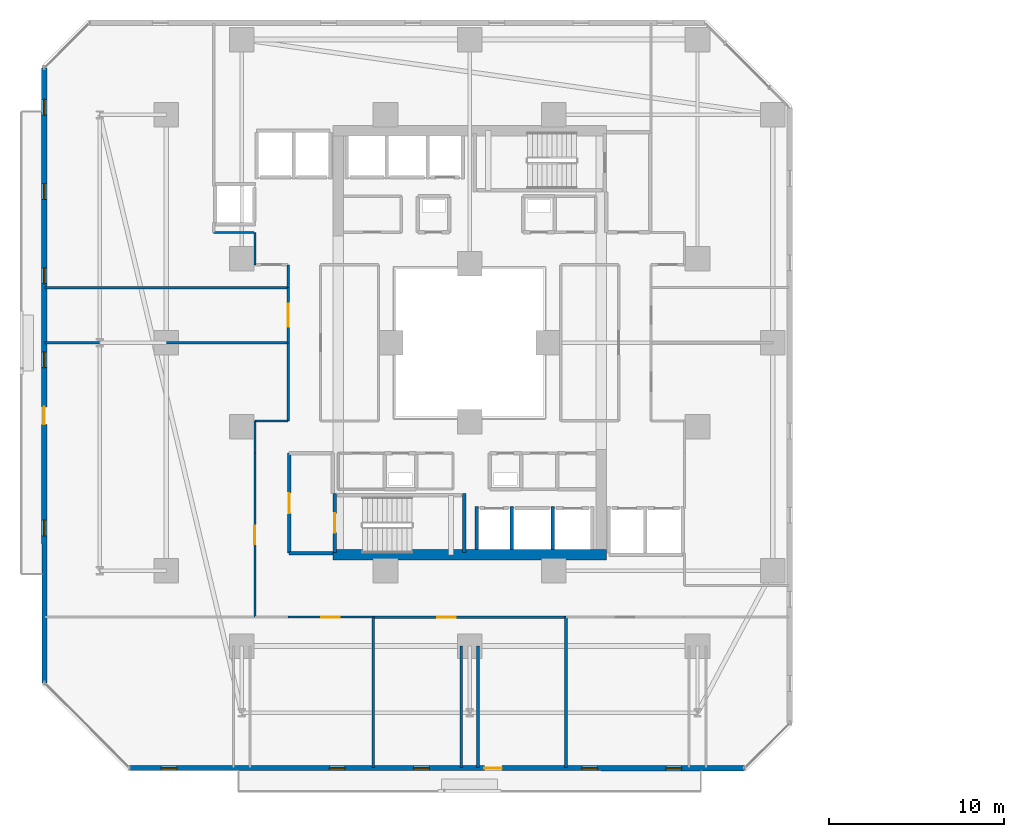
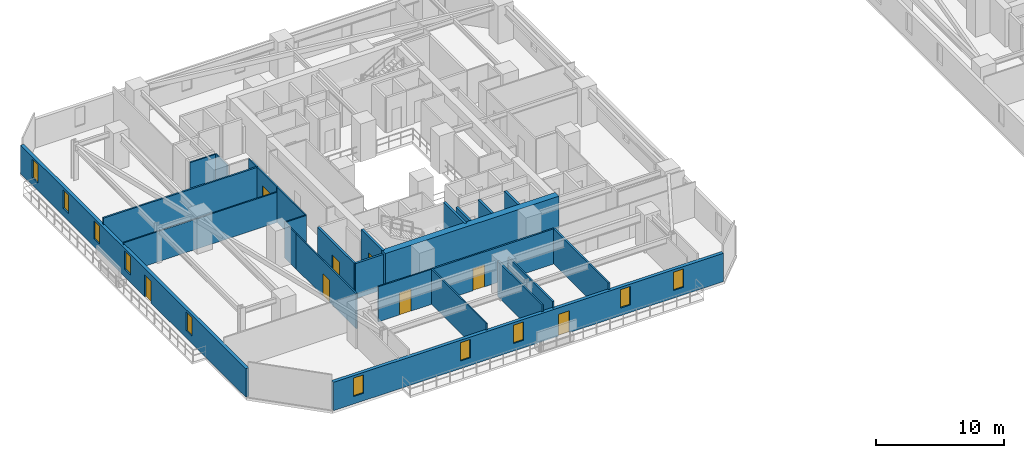
# One storey, part 18 of 33: 26 walls, 10 windows, 8 doors, 18 openings.
"""IFC4 building model written with IfcOpenShell, lengths in metres."""

from ifc_helpers import new_model, si_unit, direction, frame, frame_2d, origin, place, context, subcontext, project, spatial, rectangle, extrude, material, layer, layer_set, type_object, element, fill, save


model = new_model("IFC4")

# Units and contexts
model_context = context("Model", 3, precision=1e-05, world=origin(), true_north=direction((0.0, 1.0)))
body_context = subcontext(model_context, "Body", "Model", "MODEL_VIEW")
ifc_project = project(units=[si_unit("LENGTHUNIT", "METRE"), si_unit("AREAUNIT", "SQUARE_METRE"), si_unit("VOLUMEUNIT", "CUBIC_METRE"), si_unit("PLANEANGLEUNIT", "RADIAN"), si_unit("MASSUNIT", "GRAM", prefix="KILO")], contexts=[model_context])

# Site, building, storey
site_placement = place(None, origin())
site = spatial("IfcSite", under=ifc_project, at=site_placement, CompositionType="ELEMENT")
building_placement = place(site_placement, origin())
building = spatial("IfcBuilding", under=site, at=building_placement, Name="Thornwick Lancets Civic Towers", CompositionType="ELEMENT")
storey_placement = place(building_placement, frame((0.0, 0.0, 42.300048828125)))
storey = spatial("IfcBuildingStorey", under=building, at=storey_placement, Name="L10", CompositionType="ELEMENT", Elevation=42.300048828125)

# Walls
ifc_material_1 = material(Name="Concrete blockwork C40/50", Category="masonry")
ifc_layer_1 = layer(ifc_material_1, 0.199951171875, Name="Concrete blockwork C40/50")
ifc_layer_set_1 = layer_set([ifc_layer_1], Name="Concrete blockwork C40/50")
wall_type_1 = type_object("IfcWallType", Name="WALL_COMP_200", PredefinedType="STANDARD", material=ifc_layer_set_1)
for number, where, z_axis, x_axis, name in (
    (1, (27.89990234375, 15.2119140625, 0.0), (0.0, 0.0, 1.0), (0.0, 1.0, 0.0), "L10 Hoistway Shaft Wall FL-A1 E"),
    (2, (25.89990234375, 15.2119140625, 0.0), (0.0, 0.0, 1.0), (0.0, 1.0, 0.0), "L10 Hoistway Shaft Wall FL-A1 W"),
    (3, (30.25, 15.2119140625, 0.0), (0.0, 0.0, 1.0), (0.0, 1.0, 0.0), "L10 Hoistway Shaft Wall PL-AH1 E"),
):
    element("IfcWall", number, at=place(storey_placement, frame(where, z_axis=z_axis, x_axis=x_axis)), inside=storey, type_object=wall_type_1, Name=name, PredefinedType="STANDARD", context=body_context, shape_type="SweptSolid", body=[
        extrude(rectangle(XDim=2.43603515625, YDim=0.199951171875, at=frame_2d((1.218017578125, 0.0))), origin(), (0.0, 0.0, 1.0), 3.33984375),
    ])
wall_1_placement = place(storey_placement, frame((15.199951171875, 15.0, 0.0), z_axis=(0.0, 0.0, 1.0), x_axis=(1.0, 0.0, 0.0)))
element("IfcWall", 4, at=wall_1_placement, inside=storey, type_object=wall_type_1, Name="L10 Partition L10-A-FFLOB1 E1", PredefinedType="STANDARD", context=body_context, shape_type="SweptSolid", body=[
    extrude(rectangle(XDim=2.5, YDim=0.199951171875, at=frame_2d((1.25, 0.0))), origin(), (0.0, 0.0, 1.0), 3.33984375),
])

# Wall, opening, door
wall_2_placement = place(storey_placement, frame((15.199951171875, 20.699951171875, 0.0), z_axis=(0.0, 0.0, 1.0), x_axis=(0.0, -1.0, 0.0)))
wall_2 = element("IfcWall", 5, at=wall_2_placement, inside=storey, type_object=wall_type_1, Name="L10 Partition L10-A-FFLOB1 E4", PredefinedType="STANDARD", context=body_context, shape_type="SweptSolid", body=[
    extrude(rectangle(XDim=5.699951171875, YDim=0.199951171875, at=frame_2d((2.85009765625, 0.0))), origin(), (0.0, 0.0, 1.0), 3.33984375),
])
opening_1_placement = place(wall_2_placement, frame((2.27490234375, 0.0, 0.0)))
opening_1 = element("IfcOpeningElement", 6, at=opening_1_placement, cuts=wall_2, Name="Opening D-L10-0487", PredefinedType="OPENING", context=body_context, shape_type="SweptSolid", body=[
    extrude(rectangle(XDim=1.14990234375, YDim=2.10009765625, at=frame_2d((0.574951171875, 1.050048828125))), frame((0.0, 0.10986328125, 0.0), z_axis=(0.0, -1.0, 0.0), x_axis=(1.0, 0.0, 0.0)), (0.0, 0.0, 1.0), 0.219970703125),
])
ifc_material_2 = material(Name="Glazed fire-resisting steel", Category="steel")
door_type_1 = type_object("IfcDoorType", Name="DOOR_LOBBY_FD60", OperationType="NOTDEFINED", PredefinedType="DOOR", material=ifc_material_2)
door_1_placement = place(opening_1_placement, origin())
door_1 = element("IfcDoor", 7, at=door_1_placement, inside=storey, type_object=door_type_1, Name="L10 South Firefighting Lobby 1 Door", OperationType="SINGLE_SWING_RIGHT", OverallHeight=2.10009765625, OverallWidth=1.14990234375, PredefinedType="DOOR", context=body_context, shape_type="SweptSolid", body=[
    extrude(rectangle(XDim=1.14990234375, YDim=2.10009765625, at=frame_2d((0.574951171875, 1.050048828125))), frame((0.0, 0.02490234375, 0.0), z_axis=(0.0, -1.0, 0.0), x_axis=(1.0, 0.0, 0.0)), (0.0, 0.0, 1.0), 0.050048828125),
])
fill(opening_1, door_1)

# Wall
ifc_material_3 = material(Name="Concrete C60/75", Category="concrete")
ifc_layer_2 = layer(ifc_material_3, 0.60009765625, Name="Concrete C60/75")
ifc_layer_set_2 = layer_set([ifc_layer_2], Name="Concrete C60/75")
wall_type_2 = type_object("IfcWallType", Name="WALL_CORE_600", PredefinedType="SHEAR", material=ifc_layer_set_2)
wall_3_placement = place(storey_placement, frame((17.699951171875, 14.89990234375, 0.0), z_axis=(0.0, 0.0, 1.0), x_axis=(1.0, 0.0, 0.0)))
element("IfcWall", 8, at=wall_3_placement, inside=storey, type_object=wall_type_2, Name="L10 Split Core A1 Shear Wall S", PredefinedType="SHEAR", context=body_context, shape_type="SweptSolid", body=[
    extrude(rectangle(XDim=15.60009765625, YDim=0.60009765625, at=frame_2d((7.800048828125, 0.0))), origin(), (0.0, 0.0, 1.0), 3.599853515625),
])

# Wall, openings, door, windows
ifc_material_4 = material(Name="Insulated russet terracotta rainscreen on concrete C40/50", Category="masonry")
ifc_layer_3 = layer(ifc_material_4, 0.300048828125, Name="Insulated russet terracotta rainscreen on concrete C40/50")
ifc_layer_set_3 = layer_set([ifc_layer_3], Name="Insulated russet terracotta rainscreen on concrete C40/50")
wall_type_3 = type_object("IfcWallType", Name="WALL_EXT_RUSSET_300", PredefinedType="STANDARD", material=ifc_layer_set_3)
wall_4_placement = place(storey_placement, frame((6.100830078125, 2.742431640625, 0.0), z_axis=(0.0, 0.0, 1.0), x_axis=(0.999999978205, -0.000208784245, 0.0)))
wall_4 = element("IfcWall", 9, at=wall_4_placement, inside=storey, type_object=wall_type_3, Name="L10 Tower A Terracotta Facade Wall E0", PredefinedType="STANDARD", context=body_context, shape_type="SweptSolid", body=[
    extrude(rectangle(XDim=35.080322265625, YDim=0.300048828125, at=frame_2d((17.5400390625, 0.0))), origin(), (0.0, 0.0, 1.0), 2.699951171875),
])
opening_2_placement = place(wall_4_placement, frame((20.240234375, 0.0, 0.0)))
opening_2 = element("IfcOpeningElement", 10, at=opening_2_placement, cuts=wall_4, Name="Opening D-BL-L10-AS", PredefinedType="OPENING", context=body_context, shape_type="SweptSolid", body=[
    extrude(rectangle(XDim=1.0, YDim=2.080078125, at=frame_2d((0.5, 1.0400390625))), frame((0.0, 0.16015625, 0.0), z_axis=(0.0, -1.0, 0.0), x_axis=(1.0, 0.0, 0.0)), (0.0, 0.0, 1.0), 0.320068359375),
])
opening_3_placement = place(wall_4_placement, frame((1.800048828125, 0.0, 0.719970703125)))
opening_3 = element("IfcOpeningElement", 11, at=opening_3_placement, cuts=wall_4, Name="Opening WL-01", PredefinedType="OPENING", context=body_context, shape_type="SweptSolid", body=[
    extrude(rectangle(XDim=0.89990234375, YDim=1.75, at=frame_2d((0.449951171875, 0.875))), frame((0.0, 0.16015625, 0.0), z_axis=(0.0, -1.0, 0.0), x_axis=(1.0, 0.0, 0.0)), (0.0, 0.0, 1.0), 0.320068359375),
])
opening_4_placement = place(wall_4_placement, frame((11.39990234375, 0.0, 0.719970703125)))
opening_4 = element("IfcOpeningElement", 12, at=opening_4_placement, cuts=wall_4, Name="Opening WL-01", PredefinedType="OPENING", context=body_context, shape_type="SweptSolid", body=[
    extrude(rectangle(XDim=0.89990234375, YDim=1.75, at=frame_2d((0.449951171875, 0.875))), frame((0.0, 0.16015625, 0.0), z_axis=(0.0, -1.0, 0.0), x_axis=(1.0, 0.0, 0.0)), (0.0, 0.0, 1.0), 0.320068359375),
])
opening_5_placement = place(wall_4_placement, frame((16.199951171875, 0.0, 0.719970703125)))
opening_5 = element("IfcOpeningElement", 13, at=opening_5_placement, cuts=wall_4, Name="Opening WL-01", PredefinedType="OPENING", context=body_context, shape_type="SweptSolid", body=[
    extrude(rectangle(XDim=0.89990234375, YDim=1.75, at=frame_2d((0.449951171875, 0.875))), frame((0.0, 0.16015625, 0.0), z_axis=(0.0, -1.0, 0.0), x_axis=(1.0, 0.0, 0.0)), (0.0, 0.0, 1.0), 0.320068359375),
])
opening_6_placement = place(wall_4_placement, frame((25.800048828125, 0.0, 0.719970703125)))
opening_6 = element("IfcOpeningElement", 14, at=opening_6_placement, cuts=wall_4, Name="Opening WL-01", PredefinedType="OPENING", context=body_context, shape_type="SweptSolid", body=[
    extrude(rectangle(XDim=0.89990234375, YDim=1.75, at=frame_2d((0.449951171875, 0.875))), frame((0.0, 0.16015625, 0.0), z_axis=(0.0, -1.0, 0.0), x_axis=(1.0, 0.0, 0.0)), (0.0, 0.0, 1.0), 0.320068359375),
])
opening_7_placement = place(wall_4_placement, frame((30.60009765625, 0.0, 0.719970703125)))
opening_7 = element("IfcOpeningElement", 15, at=opening_7_placement, cuts=wall_4, Name="Opening WL-01", PredefinedType="OPENING", context=body_context, shape_type="SweptSolid", body=[
    extrude(rectangle(XDim=0.89990234375, YDim=1.75, at=frame_2d((0.449951171875, 0.875))), frame((0.0, 0.16015625, 0.0), z_axis=(0.0, -1.0, 0.0), x_axis=(1.0, 0.0, 0.0)), (0.0, 0.0, 1.0), 0.320068359375),
])
ifc_material_5 = material(Name="Thermally broken glazed loggia doorset")
door_type_2 = type_object("IfcDoorType", Name="DOOR_BALC_1000", OperationType="NOTDEFINED", PredefinedType="DOOR", material=ifc_material_5)
door_2_placement = place(opening_2_placement, origin())
door_2 = element("IfcDoor", 16, at=door_2_placement, inside=storey, type_object=door_type_2, Name="L10 Tower A Loggia Balcony Door S", OperationType="SINGLE_SWING_LEFT", OverallHeight=2.080078125, OverallWidth=1.0, PredefinedType="DOOR", context=body_context, shape_type="SweptSolid", body=[
    extrude(rectangle(XDim=1.0, YDim=2.080078125, at=frame_2d((0.5, 1.0400390625))), frame((0.0, 0.02490234375, 0.0), z_axis=(0.0, -1.0, 0.0), x_axis=(1.0, 0.0, 0.0)), (0.0, 0.0, 1.0), 0.050048828125),
])
fill(opening_2, door_2)
ifc_material_6 = material(Name="Clear low-e double glazing in bronze frame", Category="glass")
window_type = type_object("IfcWindowType", Name="WIN_LANCET_900", PartitioningType="SINGLE_PANEL", PredefinedType="WINDOW", material=ifc_material_6)
window_1_placement = place(opening_3_placement, origin())
window_1 = element("IfcWindow", 17, at=window_1_placement, inside=storey, type_object=window_type, Name="L10 Tower A Staggered Lancet Window E0-1", OverallHeight=1.75, OverallWidth=0.89990234375, PartitioningType="SINGLE_PANEL", PredefinedType="WINDOW", context=body_context, shape_type="SweptSolid", body=[
    extrude(rectangle(XDim=0.89990234375, YDim=1.75, at=frame_2d((0.449951171875, 0.875))), frame((0.0, 0.030029296875, 0.0), z_axis=(0.0, -1.0, 0.0), x_axis=(1.0, 0.0, 0.0)), (0.0, 0.0, 1.0), 0.06005859375),
])
fill(opening_3, window_1)
window_2_placement = place(opening_4_placement, origin())
window_2 = element("IfcWindow", 18, at=window_2_placement, inside=storey, type_object=window_type, Name="L10 Tower A Staggered Lancet Window E0-2", OverallHeight=1.75, OverallWidth=0.89990234375, PartitioningType="SINGLE_PANEL", PredefinedType="WINDOW", context=body_context, shape_type="SweptSolid", body=[
    extrude(rectangle(XDim=0.89990234375, YDim=1.75, at=frame_2d((0.449951171875, 0.875))), frame((0.0, 0.030029296875, 0.0), z_axis=(0.0, -1.0, 0.0), x_axis=(1.0, 0.0, 0.0)), (0.0, 0.0, 1.0), 0.06005859375),
])
fill(opening_4, window_2)
window_3_placement = place(opening_5_placement, origin())
window_3 = element("IfcWindow", 19, at=window_3_placement, inside=storey, type_object=window_type, Name="L10 Tower A Staggered Lancet Window E0-3", OverallHeight=1.75, OverallWidth=0.89990234375, PartitioningType="SINGLE_PANEL", PredefinedType="WINDOW", context=body_context, shape_type="SweptSolid", body=[
    extrude(rectangle(XDim=0.89990234375, YDim=1.75, at=frame_2d((0.449951171875, 0.875))), frame((0.0, 0.030029296875, 0.0), z_axis=(0.0, -1.0, 0.0), x_axis=(1.0, 0.0, 0.0)), (0.0, 0.0, 1.0), 0.06005859375),
])
fill(opening_5, window_3)
window_4_placement = place(opening_6_placement, origin())
window_4 = element("IfcWindow", 20, at=window_4_placement, inside=storey, type_object=window_type, Name="L10 Tower A Staggered Lancet Window E0-4", OverallHeight=1.75, OverallWidth=0.89990234375, PartitioningType="SINGLE_PANEL", PredefinedType="WINDOW", context=body_context, shape_type="SweptSolid", body=[
    extrude(rectangle(XDim=0.89990234375, YDim=1.75, at=frame_2d((0.449951171875, 0.875))), frame((0.0, 0.030029296875, 0.0), z_axis=(0.0, -1.0, 0.0), x_axis=(1.0, 0.0, 0.0)), (0.0, 0.0, 1.0), 0.06005859375),
])
fill(opening_6, window_4)
window_5_placement = place(opening_7_placement, origin())
window_5 = element("IfcWindow", 21, at=window_5_placement, inside=storey, type_object=window_type, Name="L10 Tower A Staggered Lancet Window E0-5", OverallHeight=1.75, OverallWidth=0.89990234375, PartitioningType="SINGLE_PANEL", PredefinedType="WINDOW", context=body_context, shape_type="SweptSolid", body=[
    extrude(rectangle(XDim=0.89990234375, YDim=1.75, at=frame_2d((0.449951171875, 0.875))), frame((0.0, 0.030029296875, 0.0), z_axis=(0.0, -1.0, 0.0), x_axis=(1.0, 0.0, 0.0)), (0.0, 0.0, 1.0), 0.06005859375),
])
fill(opening_7, window_5)

wall_5_placement = place(storey_placement, frame((1.235107421875, 42.68115234375, 0.0), z_axis=(0.0, 0.0, 1.0), x_axis=(0.000208784245, -0.999999978205, 0.0)))
wall_5 = element("IfcWall", 22, at=wall_5_placement, inside=storey, type_object=wall_type_3, Name="L10 Tower A Terracotta Facade Wall E6", PredefinedType="STANDARD", context=body_context, shape_type="SweptSolid", body=[
    extrude(rectangle(XDim=35.080322265625, YDim=0.300048828125, at=frame_2d((17.5400390625, 0.0))), origin(), (0.0, 0.0, 1.0), 2.699951171875),
])
opening_8_placement = place(wall_5_placement, frame((19.340087890625, 0.0, 0.0)))
opening_8 = element("IfcOpeningElement", 23, at=opening_8_placement, cuts=wall_5, Name="Opening D-BL-L10-AW", PredefinedType="OPENING", context=body_context, shape_type="SweptSolid", body=[
    extrude(rectangle(XDim=1.0, YDim=2.080078125, at=frame_2d((0.5, 1.0400390625))), frame((0.0, 0.16015625, 0.0), z_axis=(0.0, -1.0, 0.0), x_axis=(1.0, 0.0, 0.0)), (0.0, 0.0, 1.0), 0.320068359375),
])
opening_9_placement = place(wall_5_placement, frame((1.800048828125, 0.0, 0.719970703125)))
opening_9 = element("IfcOpeningElement", 24, at=opening_9_placement, cuts=wall_5, Name="Opening WL-01", PredefinedType="OPENING", context=body_context, shape_type="SweptSolid", body=[
    extrude(rectangle(XDim=0.89990234375, YDim=1.75, at=frame_2d((0.449951171875, 0.875))), frame((0.0, 0.16015625, 0.0), z_axis=(0.0, -1.0, 0.0), x_axis=(1.0, 0.0, 0.0)), (0.0, 0.0, 1.0), 0.320068359375),
])
opening_10_placement = place(wall_5_placement, frame((6.60009765625, 0.0, 0.719970703125)))
opening_10 = element("IfcOpeningElement", 25, at=opening_10_placement, cuts=wall_5, Name="Opening WL-01", PredefinedType="OPENING", context=body_context, shape_type="SweptSolid", body=[
    extrude(rectangle(XDim=0.89990234375, YDim=1.75, at=frame_2d((0.449951171875, 0.875))), frame((0.0, 0.16015625, 0.0), z_axis=(0.0, -1.0, 0.0), x_axis=(1.0, 0.0, 0.0)), (0.0, 0.0, 1.0), 0.320068359375),
])
opening_11_placement = place(wall_5_placement, frame((11.39990234375, 0.0, 0.719970703125)))
opening_11 = element("IfcOpeningElement", 26, at=opening_11_placement, cuts=wall_5, Name="Opening WL-01", PredefinedType="OPENING", context=body_context, shape_type="SweptSolid", body=[
    extrude(rectangle(XDim=0.89990234375, YDim=1.75, at=frame_2d((0.449951171875, 0.875))), frame((0.0, 0.16015625, 0.0), z_axis=(0.0, -1.0, 0.0), x_axis=(1.0, 0.0, 0.0)), (0.0, 0.0, 1.0), 0.320068359375),
])
opening_12_placement = place(wall_5_placement, frame((16.199951171875, 0.0, 0.719970703125)))
opening_12 = element("IfcOpeningElement", 27, at=opening_12_placement, cuts=wall_5, Name="Opening WL-01", PredefinedType="OPENING", context=body_context, shape_type="SweptSolid", body=[
    extrude(rectangle(XDim=0.89990234375, YDim=1.75, at=frame_2d((0.449951171875, 0.875))), frame((0.0, 0.16015625, 0.0), z_axis=(0.0, -1.0, 0.0), x_axis=(1.0, 0.0, 0.0)), (0.0, 0.0, 1.0), 0.320068359375),
])
opening_13_placement = place(wall_5_placement, frame((25.800048828125, 0.0, 0.719970703125)))
opening_13 = element("IfcOpeningElement", 28, at=opening_13_placement, cuts=wall_5, Name="Opening WL-01", PredefinedType="OPENING", context=body_context, shape_type="SweptSolid", body=[
    extrude(rectangle(XDim=0.89990234375, YDim=1.75, at=frame_2d((0.449951171875, 0.875))), frame((0.0, 0.16015625, 0.0), z_axis=(0.0, -1.0, 0.0), x_axis=(1.0, 0.0, 0.0)), (0.0, 0.0, 1.0), 0.320068359375),
])
door_3_placement = place(opening_8_placement, origin())
door_3 = element("IfcDoor", 29, at=door_3_placement, inside=storey, type_object=door_type_2, Name="L10 Tower A Loggia Balcony Door W", OperationType="SINGLE_SWING_LEFT", OverallHeight=2.080078125, OverallWidth=1.0, PredefinedType="DOOR", context=body_context, shape_type="SweptSolid", body=[
    extrude(rectangle(XDim=1.0, YDim=2.080078125, at=frame_2d((0.5, 1.0400390625))), frame((0.0, 0.02490234375, 0.0), z_axis=(0.0, -1.0, 0.0), x_axis=(1.0, 0.0, 0.0)), (0.0, 0.0, 1.0), 0.050048828125),
])
fill(opening_8, door_3)
window_6_placement = place(opening_9_placement, origin())
window_6 = element("IfcWindow", 30, at=window_6_placement, inside=storey, type_object=window_type, Name="L10 Tower A Staggered Lancet Window E6-1", OverallHeight=1.75, OverallWidth=0.89990234375, PartitioningType="SINGLE_PANEL", PredefinedType="WINDOW", context=body_context, shape_type="SweptSolid", body=[
    extrude(rectangle(XDim=0.89990234375, YDim=1.75, at=frame_2d((0.449951171875, 0.875))), frame((0.0, 0.030029296875, 0.0), z_axis=(0.0, -1.0, 0.0), x_axis=(1.0, 0.0, 0.0)), (0.0, 0.0, 1.0), 0.06005859375),
])
fill(opening_9, window_6)
window_7_placement = place(opening_10_placement, origin())
window_7 = element("IfcWindow", 31, at=window_7_placement, inside=storey, type_object=window_type, Name="L10 Tower A Staggered Lancet Window E6-2", OverallHeight=1.75, OverallWidth=0.89990234375, PartitioningType="SINGLE_PANEL", PredefinedType="WINDOW", context=body_context, shape_type="SweptSolid", body=[
    extrude(rectangle(XDim=0.89990234375, YDim=1.75, at=frame_2d((0.449951171875, 0.875))), frame((0.0, 0.030029296875, 0.0), z_axis=(0.0, -1.0, 0.0), x_axis=(1.0, 0.0, 0.0)), (0.0, 0.0, 1.0), 0.06005859375),
])
fill(opening_10, window_7)
window_8_placement = place(opening_11_placement, origin())
window_8 = element("IfcWindow", 32, at=window_8_placement, inside=storey, type_object=window_type, Name="L10 Tower A Staggered Lancet Window E6-3", OverallHeight=1.75, OverallWidth=0.89990234375, PartitioningType="SINGLE_PANEL", PredefinedType="WINDOW", context=body_context, shape_type="SweptSolid", body=[
    extrude(rectangle(XDim=0.89990234375, YDim=1.75, at=frame_2d((0.449951171875, 0.875))), frame((0.0, 0.030029296875, 0.0), z_axis=(0.0, -1.0, 0.0), x_axis=(1.0, 0.0, 0.0)), (0.0, 0.0, 1.0), 0.06005859375),
])
fill(opening_11, window_8)
window_9_placement = place(opening_12_placement, origin())
window_9 = element("IfcWindow", 33, at=window_9_placement, inside=storey, type_object=window_type, Name="L10 Tower A Staggered Lancet Window E6-4", OverallHeight=1.75, OverallWidth=0.89990234375, PartitioningType="SINGLE_PANEL", PredefinedType="WINDOW", context=body_context, shape_type="SweptSolid", body=[
    extrude(rectangle(XDim=0.89990234375, YDim=1.75, at=frame_2d((0.449951171875, 0.875))), frame((0.0, 0.030029296875, 0.0), z_axis=(0.0, -1.0, 0.0), x_axis=(1.0, 0.0, 0.0)), (0.0, 0.0, 1.0), 0.06005859375),
])
fill(opening_12, window_9)
window_10_placement = place(opening_13_placement, origin())
window_10 = element("IfcWindow", 34, at=window_10_placement, inside=storey, type_object=window_type, Name="L10 Tower A Staggered Lancet Window E6-5", OverallHeight=1.75, OverallWidth=0.89990234375, PartitioningType="SINGLE_PANEL", PredefinedType="WINDOW", context=body_context, shape_type="SweptSolid", body=[
    extrude(rectangle(XDim=0.89990234375, YDim=1.75, at=frame_2d((0.449951171875, 0.875))), frame((0.0, 0.030029296875, 0.0), z_axis=(0.0, -1.0, 0.0), x_axis=(1.0, 0.0, 0.0)), (0.0, 0.0, 1.0), 0.06005859375),
])
fill(opening_13, window_10)

# Walls
ifc_material_7 = material(Name="Acoustic gypsum board partition")
ifc_layer_4 = layer(ifc_material_7, 0.1201171875, Name="Acoustic gypsum board partition")
ifc_layer_set_4 = layer_set([ifc_layer_4], Name="Acoustic gypsum board partition")
wall_type_4 = type_object("IfcWallType", Name="WALL_PART_120", PredefinedType="PARTITIONING", material=ifc_layer_set_4)
wall_6_placement = place(storey_placement, frame((15.14990234375, 22.550048828125, 0.0), z_axis=(0.0, 0.0, 1.0), x_axis=(-1.0, 0.0, 0.0)))
element("IfcWall", 35, at=wall_6_placement, inside=storey, type_object=wall_type_4, Name="L10 Partition L10-A-W1 E1", PredefinedType="PARTITIONING", context=body_context, shape_type="SweptSolid", body=[
    extrude(rectangle(XDim=1.89990234375, YDim=0.1201171875, at=frame_2d((0.949951171875, 0.0))), origin(), (0.0, 0.0, 1.0), 3.33984375),
])
wall_7_placement = place(storey_placement, frame((13.25, 22.550048828125, 0.0), z_axis=(0.0, 0.0, 1.0), x_axis=(0.0, -1.0, 0.0)))
element("IfcWall", 36, at=wall_7_placement, inside=storey, type_object=wall_type_4, Name="L10 Partition L10-A-W1 E2", PredefinedType="PARTITIONING", context=body_context, shape_type="SweptSolid", body=[
    extrude(rectangle(XDim=1.85009765625, YDim=0.1201171875, at=frame_2d((0.925048828125, 0.0))), origin(), (0.0, 0.0, 1.0), 3.33984375),
])

# Wall, opening, door
wall_8_placement = place(storey_placement, frame((13.25, 20.699951171875, 0.0), z_axis=(0.0, 0.0, 1.0), x_axis=(0.0, -1.0, 0.0)))
wall_8 = element("IfcWall", 37, at=wall_8_placement, inside=storey, type_object=wall_type_4, Name="L10 Partition L10-A-W1 E3", PredefinedType="PARTITIONING", context=body_context, shape_type="SweptSolid", body=[
    extrude(rectangle(XDim=9.349853515625, YDim=0.1201171875, at=frame_2d((4.6748046875, 0.0))), origin(), (0.0, 0.0, 1.0), 3.33984375),
])
opening_14_placement = place(wall_8_placement, frame((4.14990234375, 0.0, 0.0)))
opening_14 = element("IfcOpeningElement", 38, at=opening_14_placement, cuts=wall_8, Name="Opening D-L10-0511", PredefinedType="OPENING", context=body_context, shape_type="SweptSolid", body=[
    extrude(rectangle(XDim=1.050048828125, YDim=2.10009765625, at=frame_2d((0.52490234375, 1.050048828125))), frame((0.0, 0.070068359375, 0.0), z_axis=(0.0, -1.0, 0.0), x_axis=(1.0, 0.0, 0.0)), (0.0, 0.0, 1.0), 0.14013671875),
])
ifc_material_8 = material(Name="Glazed European oak executive doorset")
door_type_3 = type_object("IfcDoorType", Name="DOOR_OFFICE_1050", OperationType="NOTDEFINED", PredefinedType="DOOR", material=ifc_material_8)
door_4_placement = place(opening_14_placement, origin())
door_4 = element("IfcDoor", 39, at=door_4_placement, inside=storey, type_object=door_type_3, Name="L10 Tower A Ministry Directorate Office W1 Door", OperationType="SINGLE_SWING_RIGHT", OverallHeight=2.10009765625, OverallWidth=1.050048828125, PredefinedType="DOOR", context=body_context, shape_type="SweptSolid", body=[
    extrude(rectangle(XDim=1.050048828125, YDim=2.10009765625, at=frame_2d((0.52490234375, 1.050048828125))), frame((0.0, 0.02490234375, 0.0), z_axis=(0.0, -1.0, 0.0), x_axis=(1.0, 0.0, 0.0)), (0.0, 0.0, 1.0), 0.050048828125),
])
fill(opening_14, door_4)

# Walls
wall_9_placement = place(storey_placement, frame((1.280029296875, 27.0, 0.0), z_axis=(0.0, 0.0, 1.0), x_axis=(1.0, 0.0, 0.0)))
element("IfcWall", 40, at=wall_9_placement, inside=storey, type_object=wall_type_4, Name="L10 Partition L10-A-W1 E6", PredefinedType="PARTITIONING", context=body_context, shape_type="SweptSolid", body=[
    extrude(rectangle(XDim=13.869873046875, YDim=0.1201171875, at=frame_2d((6.93505859375, 0.0))), origin(), (0.0, 0.0, 1.0), 2.881591796875),
])
wall_10_placement = place(storey_placement, frame((15.14990234375, 27.0, 0.0), z_axis=(0.0, 0.0, 1.0), x_axis=(0.0, -1.0, 0.0)))
element("IfcWall", 41, at=wall_10_placement, inside=storey, type_object=wall_type_4, Name="L10 Partition L10-A-W1 E7", PredefinedType="PARTITIONING", context=body_context, shape_type="SweptSolid", body=[
    extrude(rectangle(XDim=4.449951171875, YDim=0.1201171875, at=frame_2d((2.22509765625, 0.0))), origin(), (0.0, 0.0, 1.0), 3.33984375),
])
wall_11_placement = place(storey_placement, frame((13.25, 33.300048828125, 0.0), z_axis=(0.0, 0.0, 1.0), x_axis=(0.0, -1.0, 0.0)))
element("IfcWall", 42, at=wall_11_placement, inside=storey, type_object=wall_type_4, Name="L10 Partition L10-A-W3 E2", PredefinedType="PARTITIONING", context=body_context, shape_type="SweptSolid", body=[
    extrude(rectangle(XDim=1.85009765625, YDim=0.1201171875, at=frame_2d((0.925048828125, 0.0))), origin(), (0.0, 0.0, 1.0), 3.33984375),
])
wall_12_placement = place(storey_placement, frame((15.14990234375, 31.449951171875, 0.0), z_axis=(0.0, 0.0, 1.0), x_axis=(0.0, -1.0, 0.0)))
element("IfcWall", 43, at=wall_12_placement, inside=storey, type_object=wall_type_4, Name="L10 Partition L10-A-W3 E4", PredefinedType="PARTITIONING", context=body_context, shape_type="SweptSolid", body=[
    extrude(rectangle(XDim=1.300048828125, YDim=0.1201171875, at=frame_2d((0.64990234375, 0.0))), origin(), (0.0, 0.0, 1.0), 3.33984375),
])
wall_13_placement = place(storey_placement, frame((10.89990234375, 33.300048828125, 0.0), z_axis=(0.0, 0.0, 1.0), x_axis=(1.0, 0.0, 0.0)))
element("IfcWall", 44, at=wall_13_placement, inside=storey, type_object=wall_type_4, Name="L10 Partition L10-A-W3 E10", PredefinedType="PARTITIONING", context=body_context, shape_type="SweptSolid", body=[
    extrude(rectangle(XDim=2.300048828125, YDim=0.1201171875, at=frame_2d((1.14990234375, 0.0))), origin(), (0.0, 0.0, 1.0), 3.33984375),
])

# Wall, opening, door
wall_14_placement = place(storey_placement, frame((15.14990234375, 11.35009765625, 0.0), z_axis=(0.0, 0.0, 1.0), x_axis=(1.0, 0.0, 0.0)))
wall_14 = element("IfcWall", 45, at=wall_14_placement, inside=storey, type_object=wall_type_4, Name="L10 Partition L10-A-S-OFF1 E10", PredefinedType="PARTITIONING", context=body_context, shape_type="SweptSolid", body=[
    extrude(rectangle(XDim=4.85009765625, YDim=0.1201171875, at=frame_2d((2.425048828125, 0.0))), origin(), (0.0, 0.0, 1.0), 3.33984375),
])
opening_15_placement = place(wall_14_placement, frame((1.89990234375, 0.0, 0.0)))
opening_15 = element("IfcOpeningElement", 46, at=opening_15_placement, cuts=wall_14, Name="Opening D-L10-0519", PredefinedType="OPENING", context=body_context, shape_type="SweptSolid", body=[
    extrude(rectangle(XDim=1.050048828125, YDim=2.10009765625, at=frame_2d((0.52490234375, 1.050048828125))), frame((0.0, 0.070068359375, 0.0), z_axis=(0.0, -1.0, 0.0), x_axis=(1.0, 0.0, 0.0)), (0.0, 0.0, 1.0), 0.14013671875),
])
door_5_placement = place(opening_15_placement, origin())
door_5 = element("IfcDoor", 47, at=door_5_placement, inside=storey, type_object=door_type_3, Name="L10 Tower A South-West Division Office Door", OperationType="SINGLE_SWING_RIGHT", OverallHeight=2.10009765625, OverallWidth=1.050048828125, PredefinedType="DOOR", context=body_context, shape_type="SweptSolid", body=[
    extrude(rectangle(XDim=1.050048828125, YDim=2.10009765625, at=frame_2d((0.52490234375, 1.050048828125))), frame((0.0, 0.02490234375, 0.0), z_axis=(0.0, -1.0, 0.0), x_axis=(1.0, 0.0, 0.0)), (0.0, 0.0, 1.0), 0.050048828125),
])
fill(opening_15, door_5)

# Walls
wall_15_placement = place(storey_placement, frame((20.0, 11.35009765625, 0.0), z_axis=(0.0, 0.0, 1.0), x_axis=(0.0, -1.0, 0.0)))
element("IfcWall", 48, at=wall_15_placement, inside=storey, type_object=wall_type_4, Name="L10 Partition L10-A-S-OFF1 E11", PredefinedType="PARTITIONING", context=body_context, shape_type="SweptSolid", body=[
    extrude(rectangle(XDim=8.570068359375, YDim=0.1201171875, at=frame_2d((4.28515625, 0.0))), origin(), (0.0, 0.0, 1.0), 3.33984375),
])
ifc_material_9 = material(Name="Twin-stud acoustic gypsum board")
ifc_layer_5 = layer(ifc_material_9, 0.14990234375, Name="Twin-stud acoustic gypsum board")
ifc_layer_set_5 = layer_set([ifc_layer_5], Name="Twin-stud acoustic gypsum board")
wall_type_5 = type_object("IfcWallType", Name="WALL_PART_150", PredefinedType="PARTITIONING", material=ifc_layer_set_5)
wall_16_placement = place(storey_placement, frame((1.280029296875, 30.14990234375, 0.0), z_axis=(0.0, 0.0, 1.0), x_axis=(1.0, 0.0, 0.0)))
element("IfcWall", 49, at=wall_16_placement, inside=storey, type_object=wall_type_5, Name="L10 Partition L10-A-W2 E3", PredefinedType="PARTITIONING", context=body_context, shape_type="SweptSolid", body=[
    extrude(rectangle(XDim=13.869873046875, YDim=0.14990234375, at=frame_2d((6.93505859375, 0.0))), origin(), (0.0, 0.0, 1.0), 3.33984375),
])

# Wall, opening, door
wall_17_placement = place(storey_placement, frame((15.14990234375, 30.14990234375, 0.0), z_axis=(0.0, 0.0, 1.0), x_axis=(0.0, -1.0, 0.0)))
wall_17 = element("IfcWall", 50, at=wall_17_placement, inside=storey, type_object=wall_type_5, Name="L10 Partition L10-A-W2 E4", PredefinedType="PARTITIONING", context=body_context, shape_type="SweptSolid", body=[
    extrude(rectangle(XDim=3.14990234375, YDim=0.14990234375, at=frame_2d((1.574951171875, 0.0))), origin(), (0.0, 0.0, 1.0), 3.33984375),
])
opening_16_placement = place(wall_17_placement, frame((0.925048828125, 0.0, 0.0)))
opening_16 = element("IfcOpeningElement", 51, at=opening_16_placement, cuts=wall_17, Name="Opening D-L10-0512", PredefinedType="OPENING", context=body_context, shape_type="SweptSolid", body=[
    extrude(rectangle(XDim=1.300048828125, YDim=2.1201171875, at=frame_2d((0.64990234375, 1.06005859375))), frame((0.0, 0.0849609375, 0.0), z_axis=(0.0, -1.0, 0.0), x_axis=(1.0, 0.0, 0.0)), (0.0, 0.0, 1.0), 0.169921875),
])
ifc_material_10 = material(Name="Acoustic oak leaf-and-a-half doorset")
door_type_4 = type_object("IfcDoorType", Name="DOOR_MEET_1300", OperationType="DOUBLE_DOOR_SINGLE_SWING", PredefinedType="DOOR", material=ifc_material_10)
door_6_placement = place(opening_16_placement, origin())
door_6 = element("IfcDoor", 52, at=door_6_placement, inside=storey, type_object=door_type_4, Name="L10 Tower A Policy Briefing Room W2 Door", OperationType="DOUBLE_DOOR_SINGLE_SWING", OverallHeight=2.1201171875, OverallWidth=1.300048828125, PredefinedType="DOOR", context=body_context, shape_type="SweptSolid", body=[
    extrude(rectangle(XDim=1.300048828125, YDim=2.1201171875, at=frame_2d((0.64990234375, 1.06005859375))), frame((0.0, 0.02490234375, 0.0), z_axis=(0.0, -1.0, 0.0), x_axis=(1.0, 0.0, 0.0)), (0.0, 0.0, 1.0), 0.050048828125),
])
fill(opening_16, door_6)

# Walls
wall_18_placement = place(storey_placement, frame((31.0, 11.35009765625, 0.0), z_axis=(0.0, 0.0, 1.0), x_axis=(0.0, -1.0, 0.0)))
element("IfcWall", 53, at=wall_18_placement, inside=storey, type_object=wall_type_5, Name="L10 Partition L10-A-S-ARCH E1", PredefinedType="PARTITIONING", context=body_context, shape_type="SweptSolid", body=[
    extrude(rectangle(XDim=8.570068359375, YDim=0.14990234375, at=frame_2d((4.28515625, 0.0))), origin(), (0.0, 0.0, 1.0), 3.33984375),
])
for number, where, z_axis, x_axis, name in (
    (54, (25.97998046875, 2.780029296875, 0.0), (0.0, 0.0, 1.0), (0.0, 1.0, 0.0), "L10 Partition L10-A-S-ARCH E3"),
    (55, (25.02001953125, 9.699951171875, 0.0), (0.0, 0.0, 1.0), (0.0, -1.0, 0.0), "L10 Partition L10-A-S-ARCH E5"),
):
    element("IfcWall", number, at=place(storey_placement, frame(where, z_axis=z_axis, x_axis=x_axis)), inside=storey, type_object=wall_type_5, Name=name, PredefinedType="PARTITIONING", context=body_context, shape_type="SweptSolid", body=[
        extrude(rectangle(XDim=6.919921875, YDim=0.14990234375, at=frame_2d((3.4599609375, 0.0))), origin(), (0.0, 0.0, 1.0), 3.33984375),
    ])

# Wall, opening, door
wall_19_placement = place(storey_placement, frame((20.0, 11.35009765625, 0.0), z_axis=(0.0, 0.0, 1.0), x_axis=(1.0, 0.0, 0.0)))
wall_19 = element("IfcWall", 56, at=wall_19_placement, inside=storey, type_object=wall_type_5, Name="L10 Partition L10-A-S-ARCH E8", PredefinedType="PARTITIONING", context=body_context, shape_type="SweptSolid", body=[
    extrude(rectangle(XDim=11.0, YDim=0.14990234375, at=frame_2d((5.5, 0.0))), origin(), (0.0, 0.0, 1.0), 3.33984375),
])
opening_17_placement = place(wall_19_placement, frame((3.655029296875, 0.0, 0.0)))
opening_17 = element("IfcOpeningElement", 57, at=opening_17_placement, cuts=wall_19, Name="Opening D-L10-0520", PredefinedType="OPENING", context=body_context, shape_type="SweptSolid", body=[
    extrude(rectangle(XDim=1.050048828125, YDim=2.10009765625, at=frame_2d((0.52490234375, 1.050048828125))), frame((0.0, 0.0849609375, 0.0), z_axis=(0.0, -1.0, 0.0), x_axis=(1.0, 0.0, 0.0)), (0.0, 0.0, 1.0), 0.169921875),
])
door_7_placement = place(opening_17_placement, origin())
door_7 = element("IfcDoor", 58, at=door_7_placement, inside=storey, type_object=door_type_3, Name="L10 Tower A Registry and Records Archive Door", OperationType="SINGLE_SWING_LEFT", OverallHeight=2.10009765625, OverallWidth=1.050048828125, PredefinedType="DOOR", context=body_context, shape_type="SweptSolid", body=[
    extrude(rectangle(XDim=1.050048828125, YDim=2.10009765625, at=frame_2d((0.52490234375, 1.050048828125))), frame((0.0, 0.02490234375, 0.0), z_axis=(0.0, -1.0, 0.0), x_axis=(1.0, 0.0, 0.0)), (0.0, 0.0, 1.0), 0.050048828125),
])
fill(opening_17, door_7)

ifc_material_11 = material(Name="Concrete C40/50", Category="concrete")
ifc_layer_6 = layer(ifc_material_11, 0.199951171875, Name="Concrete C40/50")
ifc_layer_set_6 = layer_set([ifc_layer_6], Name="Concrete C40/50")
wall_type_6 = type_object("IfcWallType", Name="WALL_SHAFT_200", PredefinedType="SHEAR", material=ifc_layer_set_6)
wall_20_placement = place(storey_placement, frame((17.800048828125, 15.050048828125, 0.0), z_axis=(0.0, 0.0, 1.0), x_axis=(0.0, 1.0, 0.0)))
wall_20 = element("IfcWall", 59, at=wall_20_placement, inside=storey, type_object=wall_type_6, Name="L10 ST-A1 Fire Stair Core Wall NEAR", PredefinedType="SHEAR", context=body_context, shape_type="SweptSolid", body=[
    extrude(rectangle(XDim=3.349853515625, YDim=0.199951171875, at=frame_2d((1.6748046875, 0.0))), origin(), (0.0, 0.0, 1.0), 3.599853515625),
])
opening_18_placement = place(wall_20_placement, frame((1.125, 0.0, 0.0)))
opening_18 = element("IfcOpeningElement", 60, at=opening_18_placement, cuts=wall_20, Name="Opening D-ST-A1-L10", PredefinedType="OPENING", context=body_context, shape_type="SweptSolid", body=[
    extrude(rectangle(XDim=1.10009765625, YDim=2.10009765625, at=frame_2d((0.550048828125, 1.050048828125))), frame((0.0, 0.10986328125, 0.0), z_axis=(0.0, -1.0, 0.0), x_axis=(1.0, 0.0, 0.0)), (0.0, 0.0, 1.0), 0.219970703125),
])
ifc_material_12 = material(Name="Fire-resisting steel and hardwood", Category="steel")
door_type_5 = type_object("IfcDoorType", Name="DOOR_STAIR_FD60", OperationType="NOTDEFINED", PredefinedType="DOOR", material=ifc_material_12)
door_8_placement = place(opening_18_placement, origin())
door_8 = element("IfcDoor", 61, at=door_8_placement, inside=storey, type_object=door_type_5, Name="L10 ST-A1 Exit Stair Door", OperationType="SINGLE_SWING_RIGHT", OverallHeight=2.10009765625, OverallWidth=1.10009765625, PredefinedType="DOOR", context=body_context, shape_type="SweptSolid", body=[
    extrude(rectangle(XDim=1.10009765625, YDim=2.10009765625, at=frame_2d((0.550048828125, 1.050048828125))), frame((0.0, 0.02490234375, 0.0), z_axis=(0.0, -1.0, 0.0), x_axis=(1.0, 0.0, 0.0)), (0.0, 0.0, 1.0), 0.050048828125),
])
fill(opening_18, door_8)

# Wall
wall_21_placement = place(storey_placement, frame((25.199951171875, 18.39990234375, 0.0), z_axis=(0.0, 0.0, 1.0), x_axis=(0.0, -1.0, 0.0)))
element("IfcWall", 62, at=wall_21_placement, inside=storey, type_object=wall_type_6, Name="L10 ST-A1 Fire Stair Core Wall FAR", PredefinedType="SHEAR", context=body_context, shape_type="SweptSolid", body=[
    extrude(rectangle(XDim=3.349853515625, YDim=0.199951171875, at=frame_2d((1.6748046875, 0.0))), origin(), (0.0, 0.0, 1.0), 3.599853515625),
])

save(model, "model.ifc")
